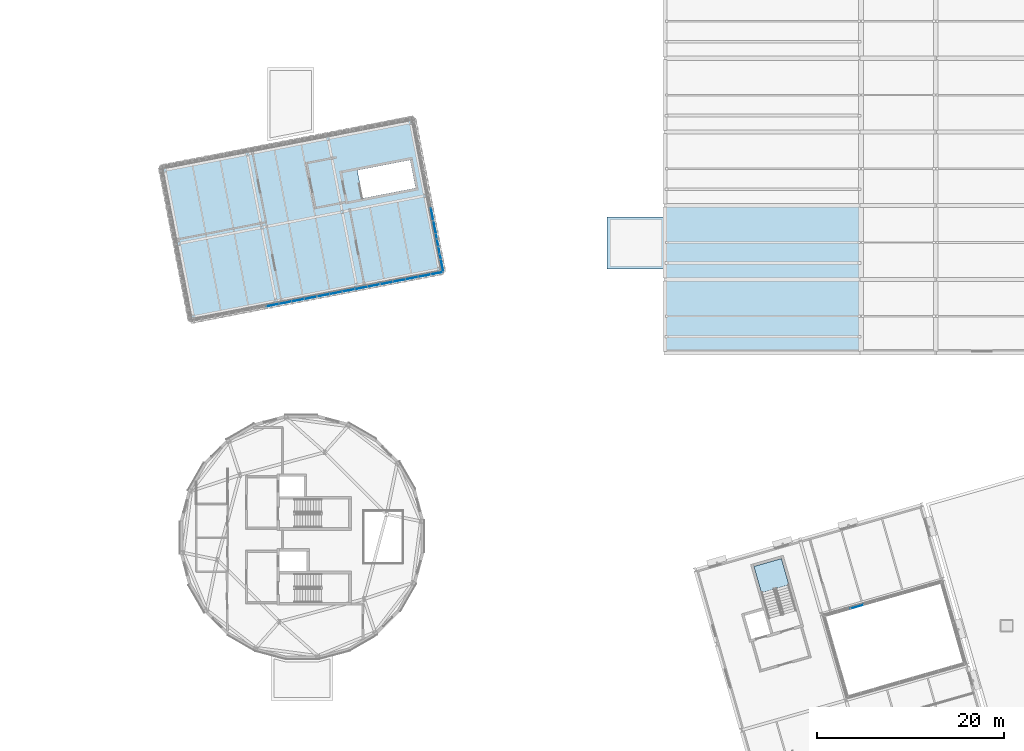
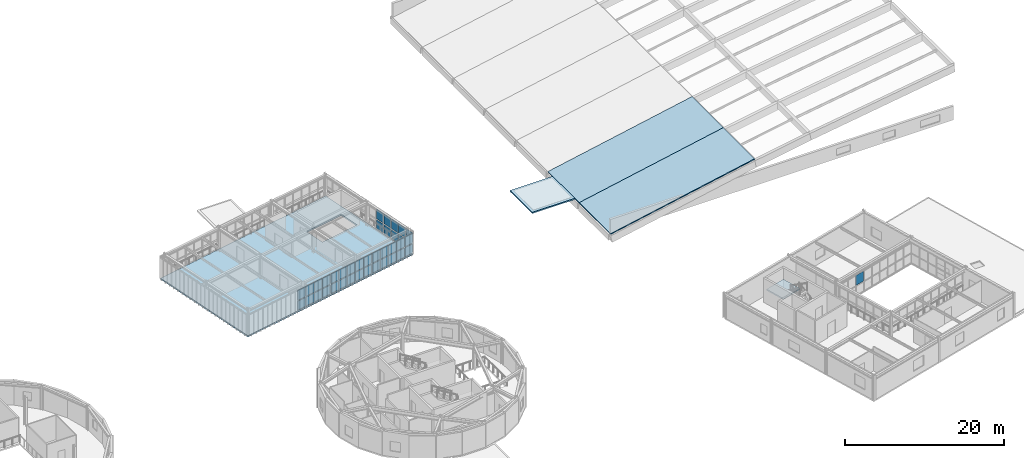
# One storey, part 22 of 44: 39 plates, 5 slabs, 7 elements without a shape of their own.
"""IFC4 building model written with IfcOpenShell, lengths in metres."""

from ifc_helpers import new_model, si_unit, direction, frame, origin, origin_2d, place, context, subcontext, project, spatial, polyline, rectangle, outline, extrude, material, layer, layer_set, type_object, element, aggregate, save


model = new_model("IFC4")

# Units and contexts
model_context = context("Model", 3, precision=1e-05, world=origin(), true_north=direction((0.0, 1.0)))
body_context = subcontext(model_context, "Body", "Model", "MODEL_VIEW")
ifc_project = project(units=[si_unit("LENGTHUNIT", "METRE"), si_unit("AREAUNIT", "SQUARE_METRE"), si_unit("VOLUMEUNIT", "CUBIC_METRE"), si_unit("PLANEANGLEUNIT", "RADIAN"), si_unit("MASSUNIT", "GRAM", prefix="KILO")], contexts=[model_context])

# Site, building, storey
site_placement = place(None, origin())
site = spatial("IfcSite", under=ifc_project, at=site_placement, CompositionType="ELEMENT")
building_placement = place(site_placement, origin())
building = spatial("IfcBuilding", under=site, at=building_placement, Name="Varnklinge Art Gallery", CompositionType="ELEMENT")
storey_placement = place(building_placement, frame((0.0, 0.0, 13.679931640625)))
storey = spatial("IfcBuildingStorey", under=building, at=storey_placement, Name="L03", CompositionType="ELEMENT", Elevation=13.679931640625)

# Curtain wall, plate
ifc_material_1 = material(Name="Anodised Aluminium", Category="aluminium")
curtain_wall_type_1 = type_object("IfcCurtainWallType", Name="CW-C03", PredefinedType="USERDEFINED", material=ifc_material_1)
curtain_wall_1_placement = place(storey_placement, origin())
curtain_wall_1 = element("IfcCurtainWall", 1, at=curtain_wall_1_placement, inside=storey, type_object=curtain_wall_type_1, Name="L03 Curtain Wall CW-V6C-L03-3", ObjectType="UNITISED CURTAIN WALL", PredefinedType="USERDEFINED")
ifc_material_2 = material(Name="Insulated Low-E Triple Glazing", Category="glass")
ifc_layer_1 = layer(ifc_material_2, 0.031982421875)
ifc_layer_set_1 = layer_set([ifc_layer_1], Name="Insulated Low-E Triple Glazing")
plate_type_1 = type_object("IfcPlateType", Name="GLZ-32", PredefinedType="CURTAIN_PANEL", material=ifc_layer_set_1)
plate_1_placement = place(storey_placement, frame((134.982666015625, 31.029296875, 1.627685546875), z_axis=(0.0, 0.0, 1.0), x_axis=(0.961261695938, 0.275637355817, 0.0)))
plate_1 = element("IfcPlate", 2, at=plate_1_placement, type_object=plate_type_1, Name="CW-V6C-L03-3 Glazing Panel 3.2", PredefinedType="CURTAIN_PANEL", context=body_context, shape_type="SweptSolid", body=[
    extrude(rectangle(XDim=1.388427734375, YDim=0.031982421875, at=origin_2d()), origin(), (0.0, 0.0, 1.0), 1.5244140625),
])
aggregate(curtain_wall_1, [plate_1])

# Curtain wall, plates
ifc_material_3 = material(Name="Anodised Aluminium", Category="aluminium")
curtain_wall_type_2 = type_object("IfcCurtainWallType", Name="CW-L04", PredefinedType="USERDEFINED", material=ifc_material_3)
curtain_wall_2_placement = place(storey_placement, origin())
curtain_wall_2 = element("IfcCurtainWall", 3, at=curtain_wall_2_placement, inside=storey, type_object=curtain_wall_type_2, Name="L03 Curtain Wall CW-V4B-L03-1-1-2", ObjectType="UNITISED CURTAIN WALL", PredefinedType="USERDEFINED")
ifc_material_4 = material(Name="Insulated Low-E Triple Glazing", Category="glass")
ifc_layer_2 = layer(ifc_material_4, 0.0439453125)
ifc_layer_set_2 = layer_set([ifc_layer_2], Name="Insulated Low-E Triple Glazing")
plate_type_2 = type_object("IfcPlateType", Name="GLZ-44", PredefinedType="CURTAIN_PANEL", material=ifc_layer_set_2)
plate_2_placement = place(storey_placement, frame((72.361572265625, 63.332763671875, 0.14794921875), z_axis=(0.0, 0.0, 1.0), x_axis=(0.981627183448, 0.190808995377, 0.0)))
plate_2 = element("IfcPlate", 4, at=plate_2_placement, type_object=plate_type_2, Name="CW-V4B-L03-1-1-2 Glazing Panel 2.1", PredefinedType="CURTAIN_PANEL", context=body_context, shape_type="SweptSolid", body=[
    extrude(rectangle(XDim=1.30908203125, YDim=0.0439453125, at=origin_2d()), origin(), (0.0, 0.0, 1.0), 1.367919921875),
])
plate_3_placement = place(storey_placement, frame((72.361572265625, 63.332763671875, 1.66162109375), z_axis=(0.0, 0.0, 1.0), x_axis=(0.981627183448, 0.190808995377, 0.0)))
plate_3 = element("IfcPlate", 5, at=plate_3_placement, type_object=plate_type_2, Name="CW-V4B-L03-1-1-2 Glazing Panel 2.2", PredefinedType="CURTAIN_PANEL", context=body_context, shape_type="SweptSolid", body=[
    extrude(rectangle(XDim=1.30908203125, YDim=0.0439453125, at=origin_2d()), origin(), (0.0, 0.0, 1.0), 1.500244140625),
])
plate_4_placement = place(storey_placement, frame((73.716064453125, 63.59619140625, 0.14794921875), z_axis=(0.0, 0.0, 1.0), x_axis=(0.981627183448, 0.190808995377, 0.0)))
plate_4 = element("IfcPlate", 6, at=plate_4_placement, type_object=plate_type_2, Name="CW-V4B-L03-1-1-2 Glazing Panel 3.1", PredefinedType="CURTAIN_PANEL", context=body_context, shape_type="SweptSolid", body=[
    extrude(rectangle(XDim=1.30908203125, YDim=0.0439453125, at=origin_2d()), origin(), (0.0, 0.0, 1.0), 1.367919921875),
])
plate_5_placement = place(storey_placement, frame((73.716064453125, 63.59619140625, 1.66162109375), z_axis=(0.0, 0.0, 1.0), x_axis=(0.981627183448, 0.190808995377, 0.0)))
plate_5 = element("IfcPlate", 7, at=plate_5_placement, type_object=plate_type_2, Name="CW-V4B-L03-1-1-2 Glazing Panel 3.2", PredefinedType="CURTAIN_PANEL", context=body_context, shape_type="SweptSolid", body=[
    extrude(rectangle(XDim=1.30908203125, YDim=0.0439453125, at=origin_2d()), origin(), (0.0, 0.0, 1.0), 1.500244140625),
])
plate_6_placement = place(storey_placement, frame((75.07080078125, 63.859375, 0.14794921875), z_axis=(0.0, 0.0, 1.0), x_axis=(0.981627183448, 0.190808995377, 0.0)))
plate_6 = element("IfcPlate", 8, at=plate_6_placement, type_object=plate_type_2, Name="CW-V4B-L03-1-1-2 Glazing Panel 4.1", PredefinedType="CURTAIN_PANEL", context=body_context, shape_type="SweptSolid", body=[
    extrude(rectangle(XDim=1.30908203125, YDim=0.0439453125, at=origin_2d()), origin(), (0.0, 0.0, 1.0), 1.367919921875),
])
plate_7_placement = place(storey_placement, frame((75.07080078125, 63.859375, 1.66162109375), z_axis=(0.0, 0.0, 1.0), x_axis=(0.981627183448, 0.190808995377, 0.0)))
plate_7 = element("IfcPlate", 9, at=plate_7_placement, type_object=plate_type_2, Name="CW-V4B-L03-1-1-2 Glazing Panel 4.2", PredefinedType="CURTAIN_PANEL", context=body_context, shape_type="SweptSolid", body=[
    extrude(rectangle(XDim=1.30908203125, YDim=0.0439453125, at=origin_2d()), origin(), (0.0, 0.0, 1.0), 1.500244140625),
])
plate_8_placement = place(storey_placement, frame((76.406982421875, 64.119140625, 0.14794921875), z_axis=(0.0, 0.0, 1.0), x_axis=(0.981627183448, 0.190808995377, 0.0)))
plate_8 = element("IfcPlate", 10, at=plate_8_placement, type_object=plate_type_2, Name="CW-V4B-L03-1-1-2 Glazing Panel 5.1", PredefinedType="CURTAIN_PANEL", context=body_context, shape_type="SweptSolid", body=[
    extrude(rectangle(XDim=1.271484375, YDim=0.0439453125, at=origin_2d()), origin(), (0.0, 0.0, 1.0), 1.367919921875),
])
plate_9_placement = place(storey_placement, frame((76.406982421875, 64.119140625, 1.66162109375), z_axis=(0.0, 0.0, 1.0), x_axis=(0.981627183448, 0.190808995377, 0.0)))
plate_9 = element("IfcPlate", 11, at=plate_9_placement, type_object=plate_type_2, Name="CW-V4B-L03-1-1-2 Glazing Panel 5.2", PredefinedType="CURTAIN_PANEL", context=body_context, shape_type="SweptSolid", body=[
    extrude(rectangle(XDim=1.271484375, YDim=0.0439453125, at=origin_2d()), origin(), (0.0, 0.0, 1.0), 1.500244140625),
])
aggregate(curtain_wall_2, [plate_2, plate_3, plate_4, plate_5, plate_6, plate_7, plate_8, plate_9])

curtain_wall_3_placement = place(storey_placement, origin())
curtain_wall_3 = element("IfcCurtainWall", 12, at=curtain_wall_3_placement, inside=storey, type_object=curtain_wall_type_2, Name="L03 Curtain Wall CW-V4B-L03-1-1-3", ObjectType="UNITISED CURTAIN WALL", PredefinedType="USERDEFINED")
plate_10_placement = place(storey_placement, frame((77.798583984375, 64.3896484375, 0.14794921875), z_axis=(0.0, 0.0, 1.0), x_axis=(0.981627183448, 0.190808995377, 0.0)))
plate_10 = element("IfcPlate", 13, at=plate_10_placement, type_object=plate_type_2, Name="CW-V4B-L03-1-1-3 Glazing Panel 1.1", PredefinedType="CURTAIN_PANEL", context=body_context, shape_type="SweptSolid", body=[
    extrude(rectangle(XDim=1.271484375, YDim=0.0439453125, at=origin_2d()), origin(), (0.0, 0.0, 1.0), 1.367919921875),
])
plate_11_placement = place(storey_placement, frame((77.798583984375, 64.3896484375, 1.66162109375), z_axis=(0.0, 0.0, 1.0), x_axis=(0.981627183448, 0.190808995377, 0.0)))
plate_11 = element("IfcPlate", 14, at=plate_11_placement, type_object=plate_type_2, Name="CW-V4B-L03-1-1-3 Glazing Panel 1.2", PredefinedType="CURTAIN_PANEL", context=body_context, shape_type="SweptSolid", body=[
    extrude(rectangle(XDim=1.271484375, YDim=0.0439453125, at=origin_2d()), origin(), (0.0, 0.0, 1.0), 1.500244140625),
])
plate_12_placement = place(storey_placement, frame((79.134765625, 64.6494140625, 0.14794921875), z_axis=(0.0, 0.0, 1.0), x_axis=(0.981627183448, 0.190808995377, 0.0)))
plate_12 = element("IfcPlate", 15, at=plate_12_placement, type_object=plate_type_2, Name="CW-V4B-L03-1-1-3 Glazing Panel 2.1", PredefinedType="CURTAIN_PANEL", context=body_context, shape_type="SweptSolid", body=[
    extrude(rectangle(XDim=1.30908203125, YDim=0.0439453125, at=origin_2d()), origin(), (0.0, 0.0, 1.0), 1.367919921875),
])
plate_13_placement = place(storey_placement, frame((79.134765625, 64.6494140625, 1.66162109375), z_axis=(0.0, 0.0, 1.0), x_axis=(0.981627183448, 0.190808995377, 0.0)))
plate_13 = element("IfcPlate", 16, at=plate_13_placement, type_object=plate_type_2, Name="CW-V4B-L03-1-1-3 Glazing Panel 2.2", PredefinedType="CURTAIN_PANEL", context=body_context, shape_type="SweptSolid", body=[
    extrude(rectangle(XDim=1.30908203125, YDim=0.0439453125, at=origin_2d()), origin(), (0.0, 0.0, 1.0), 1.500244140625),
])
plate_14_placement = place(storey_placement, frame((80.489501953125, 64.91259765625, 0.14794921875), z_axis=(0.0, 0.0, 1.0), x_axis=(0.981627183448, 0.190808995377, 0.0)))
plate_14 = element("IfcPlate", 17, at=plate_14_placement, type_object=plate_type_2, Name="CW-V4B-L03-1-1-3 Glazing Panel 3.1", PredefinedType="CURTAIN_PANEL", context=body_context, shape_type="SweptSolid", body=[
    extrude(rectangle(XDim=1.30908203125, YDim=0.0439453125, at=origin_2d()), origin(), (0.0, 0.0, 1.0), 1.367919921875),
])
plate_15_placement = place(storey_placement, frame((80.489501953125, 64.91259765625, 1.66162109375), z_axis=(0.0, 0.0, 1.0), x_axis=(0.981627183448, 0.190808995377, 0.0)))
plate_15 = element("IfcPlate", 18, at=plate_15_placement, type_object=plate_type_2, Name="CW-V4B-L03-1-1-3 Glazing Panel 3.2", PredefinedType="CURTAIN_PANEL", context=body_context, shape_type="SweptSolid", body=[
    extrude(rectangle(XDim=1.30908203125, YDim=0.0439453125, at=origin_2d()), origin(), (0.0, 0.0, 1.0), 1.500244140625),
])
plate_16_placement = place(storey_placement, frame((81.843994140625, 65.176025390625, 0.14794921875), z_axis=(0.0, 0.0, 1.0), x_axis=(0.981627183448, 0.190808995377, 0.0)))
plate_16 = element("IfcPlate", 19, at=plate_16_placement, type_object=plate_type_2, Name="CW-V4B-L03-1-1-3 Glazing Panel 4.1", PredefinedType="CURTAIN_PANEL", context=body_context, shape_type="SweptSolid", body=[
    extrude(rectangle(XDim=1.30908203125, YDim=0.0439453125, at=origin_2d()), origin(), (0.0, 0.0, 1.0), 1.367919921875),
])
plate_17_placement = place(storey_placement, frame((81.843994140625, 65.176025390625, 1.66162109375), z_axis=(0.0, 0.0, 1.0), x_axis=(0.981627183448, 0.190808995377, 0.0)))
plate_17 = element("IfcPlate", 20, at=plate_17_placement, type_object=plate_type_2, Name="CW-V4B-L03-1-1-3 Glazing Panel 4.2", PredefinedType="CURTAIN_PANEL", context=body_context, shape_type="SweptSolid", body=[
    extrude(rectangle(XDim=1.30908203125, YDim=0.0439453125, at=origin_2d()), origin(), (0.0, 0.0, 1.0), 1.500244140625),
])
plate_18_placement = place(storey_placement, frame((83.180419921875, 65.435791015625, 0.14794921875), z_axis=(0.0, 0.0, 1.0), x_axis=(0.981627183448, 0.190808995377, 0.0)))
plate_18 = element("IfcPlate", 21, at=plate_18_placement, type_object=plate_type_2, Name="CW-V4B-L03-1-1-3 Glazing Panel 5.1", PredefinedType="CURTAIN_PANEL", context=body_context, shape_type="SweptSolid", body=[
    extrude(rectangle(XDim=1.271484375, YDim=0.0439453125, at=origin_2d()), origin(), (0.0, 0.0, 1.0), 1.367919921875),
])
plate_19_placement = place(storey_placement, frame((83.180419921875, 65.435791015625, 1.66162109375), z_axis=(0.0, 0.0, 1.0), x_axis=(0.981627183448, 0.190808995377, 0.0)))
plate_19 = element("IfcPlate", 22, at=plate_19_placement, type_object=plate_type_2, Name="CW-V4B-L03-1-1-3 Glazing Panel 5.2", PredefinedType="CURTAIN_PANEL", context=body_context, shape_type="SweptSolid", body=[
    extrude(rectangle(XDim=1.271484375, YDim=0.0439453125, at=origin_2d()), origin(), (0.0, 0.0, 1.0), 1.500244140625),
])
aggregate(curtain_wall_3, [plate_10, plate_11, plate_12, plate_13, plate_14, plate_15, plate_16, plate_17, plate_18, plate_19])

curtain_wall_4_placement = place(storey_placement, origin())
curtain_wall_4 = element("IfcCurtainWall", 23, at=curtain_wall_4_placement, inside=storey, type_object=curtain_wall_type_2, Name="L03 Curtain Wall CW-V4B-L03-1-1-4", ObjectType="UNITISED CURTAIN WALL", PredefinedType="USERDEFINED")
plate_20_placement = place(storey_placement, frame((84.57177734375, 65.7060546875, 0.14794921875), z_axis=(0.0, 0.0, 1.0), x_axis=(0.981627183448, 0.190808995377, 0.0)))
plate_20 = element("IfcPlate", 24, at=plate_20_placement, type_object=plate_type_2, Name="CW-V4B-L03-1-1-4 Glazing Panel 1.1", PredefinedType="CURTAIN_PANEL", context=body_context, shape_type="SweptSolid", body=[
    extrude(rectangle(XDim=1.271484375, YDim=0.0439453125, at=origin_2d()), origin(), (0.0, 0.0, 1.0), 1.367919921875),
])
plate_21_placement = place(storey_placement, frame((84.57177734375, 65.7060546875, 1.66162109375), z_axis=(0.0, 0.0, 1.0), x_axis=(0.981627183448, 0.190808995377, 0.0)))
plate_21 = element("IfcPlate", 25, at=plate_21_placement, type_object=plate_type_2, Name="CW-V4B-L03-1-1-4 Glazing Panel 1.2", PredefinedType="CURTAIN_PANEL", context=body_context, shape_type="SweptSolid", body=[
    extrude(rectangle(XDim=1.271484375, YDim=0.0439453125, at=origin_2d()), origin(), (0.0, 0.0, 1.0), 1.500244140625),
])
plate_22_placement = place(storey_placement, frame((85.907958984375, 65.9658203125, 0.14794921875), z_axis=(0.0, 0.0, 1.0), x_axis=(0.981627183448, 0.190808995377, 0.0)))
plate_22 = element("IfcPlate", 26, at=plate_22_placement, type_object=plate_type_2, Name="CW-V4B-L03-1-1-4 Glazing Panel 2.1", PredefinedType="CURTAIN_PANEL", context=body_context, shape_type="SweptSolid", body=[
    extrude(rectangle(XDim=1.30908203125, YDim=0.0439453125, at=origin_2d()), origin(), (0.0, 0.0, 1.0), 1.367919921875),
])
plate_23_placement = place(storey_placement, frame((85.907958984375, 65.9658203125, 1.66162109375), z_axis=(0.0, 0.0, 1.0), x_axis=(0.981627183448, 0.190808995377, 0.0)))
plate_23 = element("IfcPlate", 27, at=plate_23_placement, type_object=plate_type_2, Name="CW-V4B-L03-1-1-4 Glazing Panel 2.2", PredefinedType="CURTAIN_PANEL", context=body_context, shape_type="SweptSolid", body=[
    extrude(rectangle(XDim=1.30908203125, YDim=0.0439453125, at=origin_2d()), origin(), (0.0, 0.0, 1.0), 1.500244140625),
])
plate_24_placement = place(storey_placement, frame((87.2626953125, 66.229248046875, 0.14794921875), z_axis=(0.0, 0.0, 1.0), x_axis=(0.981627183448, 0.190808995377, 0.0)))
plate_24 = element("IfcPlate", 28, at=plate_24_placement, type_object=plate_type_2, Name="CW-V4B-L03-1-1-4 Glazing Panel 3.1", PredefinedType="CURTAIN_PANEL", context=body_context, shape_type="SweptSolid", body=[
    extrude(rectangle(XDim=1.30908203125, YDim=0.0439453125, at=origin_2d()), origin(), (0.0, 0.0, 1.0), 1.367919921875),
])
plate_25_placement = place(storey_placement, frame((87.2626953125, 66.229248046875, 1.66162109375), z_axis=(0.0, 0.0, 1.0), x_axis=(0.981627183448, 0.190808995377, 0.0)))
plate_25 = element("IfcPlate", 29, at=plate_25_placement, type_object=plate_type_2, Name="CW-V4B-L03-1-1-4 Glazing Panel 3.2", PredefinedType="CURTAIN_PANEL", context=body_context, shape_type="SweptSolid", body=[
    extrude(rectangle(XDim=1.30908203125, YDim=0.0439453125, at=origin_2d()), origin(), (0.0, 0.0, 1.0), 1.500244140625),
])
plate_26_placement = place(storey_placement, frame((88.6171875, 66.492431640625, 0.14794921875), z_axis=(0.0, 0.0, 1.0), x_axis=(0.981627183448, 0.190808995377, 0.0)))
plate_26 = element("IfcPlate", 30, at=plate_26_placement, type_object=plate_type_2, Name="CW-V4B-L03-1-1-4 Glazing Panel 4.1", PredefinedType="CURTAIN_PANEL", context=body_context, shape_type="SweptSolid", body=[
    extrude(rectangle(XDim=1.30908203125, YDim=0.0439453125, at=origin_2d()), origin(), (0.0, 0.0, 1.0), 1.367919921875),
])
plate_27_placement = place(storey_placement, frame((88.6171875, 66.492431640625, 1.66162109375), z_axis=(0.0, 0.0, 1.0), x_axis=(0.981627183448, 0.190808995377, 0.0)))
plate_27 = element("IfcPlate", 31, at=plate_27_placement, type_object=plate_type_2, Name="CW-V4B-L03-1-1-4 Glazing Panel 4.2", PredefinedType="CURTAIN_PANEL", context=body_context, shape_type="SweptSolid", body=[
    extrude(rectangle(XDim=1.30908203125, YDim=0.0439453125, at=origin_2d()), origin(), (0.0, 0.0, 1.0), 1.500244140625),
])
plate_28_placement = place(storey_placement, frame((89.95361328125, 66.752197265625, 0.14794921875), z_axis=(0.0, 0.0, 1.0), x_axis=(0.981627183448, 0.190808995377, 0.0)))
plate_28 = element("IfcPlate", 32, at=plate_28_placement, type_object=plate_type_2, Name="CW-V4B-L03-1-1-4 Glazing Panel 5.1", PredefinedType="CURTAIN_PANEL", context=body_context, shape_type="SweptSolid", body=[
    extrude(rectangle(XDim=1.271484375, YDim=0.0439453125, at=origin_2d()), origin(), (0.0, 0.0, 1.0), 1.367919921875),
])
plate_29_placement = place(storey_placement, frame((89.95361328125, 66.752197265625, 1.66162109375), z_axis=(0.0, 0.0, 1.0), x_axis=(0.981627183448, 0.190808995377, 0.0)))
plate_29 = element("IfcPlate", 33, at=plate_29_placement, type_object=plate_type_2, Name="CW-V4B-L03-1-1-4 Glazing Panel 5.2", PredefinedType="CURTAIN_PANEL", context=body_context, shape_type="SweptSolid", body=[
    extrude(rectangle(XDim=1.271484375, YDim=0.0439453125, at=origin_2d()), origin(), (0.0, 0.0, 1.0), 1.500244140625),
])
aggregate(curtain_wall_4, [plate_20, plate_21, plate_22, plate_23, plate_24, plate_25, plate_26, plate_27, plate_28, plate_29])

ifc_material_5 = material(Name="Anodised Aluminium", Category="aluminium")
curtain_wall_type_3 = type_object("IfcCurtainWallType", Name="CW-L08", PredefinedType="USERDEFINED", material=ifc_material_5)
curtain_wall_5_placement = place(storey_placement, origin())
curtain_wall_5 = element("IfcCurtainWall", 34, at=curtain_wall_5_placement, inside=storey, type_object=curtain_wall_type_3, Name="L03 Curtain Wall CW-V4B-L03-2-1-1", ObjectType="UNITISED CURTAIN WALL", PredefinedType="USERDEFINED")
plate_30_placement = place(storey_placement, frame((90.51220703125, 67.593017578125, 0.14794921875), z_axis=(0.0, 0.0, 1.0), x_axis=(-0.190808995377, 0.981627183448, 0.0)))
plate_30 = element("IfcPlate", 35, at=plate_30_placement, type_object=plate_type_2, Name="CW-V4B-L03-2-1-1 Glazing Panel 1.1", PredefinedType="CURTAIN_PANEL", context=body_context, shape_type="SweptSolid", body=[
    extrude(rectangle(XDim=1.29150390625, YDim=0.0439453125, at=origin_2d()), origin(), (0.0, 0.0, 1.0), 1.367919921875),
])
plate_31_placement = place(storey_placement, frame((90.51220703125, 67.593017578125, 1.66162109375), z_axis=(0.0, 0.0, 1.0), x_axis=(-0.190808995377, 0.981627183448, 0.0)))
plate_31 = element("IfcPlate", 36, at=plate_31_placement, type_object=plate_type_2, Name="CW-V4B-L03-2-1-1 Glazing Panel 1.2", PredefinedType="CURTAIN_PANEL", context=body_context, shape_type="SweptSolid", body=[
    extrude(rectangle(XDim=1.29150390625, YDim=0.0439453125, at=origin_2d()), origin(), (0.0, 0.0, 1.0), 1.500244140625),
])
plate_32_placement = place(storey_placement, frame((90.24853515625, 68.948974609375, 0.14794921875), z_axis=(0.0, 0.0, 1.0), x_axis=(-0.190808995377, 0.981627183448, 0.0)))
plate_32 = element("IfcPlate", 37, at=plate_32_placement, type_object=plate_type_2, Name="CW-V4B-L03-2-1-1 Glazing Panel 2.1", PredefinedType="CURTAIN_PANEL", context=body_context, shape_type="SweptSolid", body=[
    extrude(rectangle(XDim=1.3291015625, YDim=0.0439453125, at=origin_2d()), origin(), (0.0, 0.0, 1.0), 1.367919921875),
])
plate_33_placement = place(storey_placement, frame((90.24853515625, 68.948974609375, 1.66162109375), z_axis=(0.0, 0.0, 1.0), x_axis=(-0.190808995377, 0.981627183448, 0.0)))
plate_33 = element("IfcPlate", 38, at=plate_33_placement, type_object=plate_type_2, Name="CW-V4B-L03-2-1-1 Glazing Panel 2.2", PredefinedType="CURTAIN_PANEL", context=body_context, shape_type="SweptSolid", body=[
    extrude(rectangle(XDim=1.3291015625, YDim=0.0439453125, at=origin_2d()), origin(), (0.0, 0.0, 1.0), 1.500244140625),
])
plate_34_placement = place(storey_placement, frame((89.9814453125, 70.3232421875, 0.14794921875), z_axis=(0.0, 0.0, 1.0), x_axis=(-0.190808995377, 0.981627183448, 0.0)))
plate_34 = element("IfcPlate", 39, at=plate_34_placement, type_object=plate_type_2, Name="CW-V4B-L03-2-1-1 Glazing Panel 3.1", PredefinedType="CURTAIN_PANEL", context=body_context, shape_type="SweptSolid", body=[
    extrude(rectangle(XDim=1.3291015625, YDim=0.0439453125, at=origin_2d()), origin(), (0.0, 0.0, 1.0), 1.367919921875),
])
plate_35_placement = place(storey_placement, frame((89.9814453125, 70.3232421875, 1.66162109375), z_axis=(0.0, 0.0, 1.0), x_axis=(-0.190808995377, 0.981627183448, 0.0)))
plate_35 = element("IfcPlate", 40, at=plate_35_placement, type_object=plate_type_2, Name="CW-V4B-L03-2-1-1 Glazing Panel 3.2", PredefinedType="CURTAIN_PANEL", context=body_context, shape_type="SweptSolid", body=[
    extrude(rectangle(XDim=1.3291015625, YDim=0.0439453125, at=origin_2d()), origin(), (0.0, 0.0, 1.0), 1.500244140625),
])
plate_36_placement = place(storey_placement, frame((89.718017578125, 71.67919921875, 0.14794921875), z_axis=(0.0, 0.0, 1.0), x_axis=(-0.190808995377, 0.981627183448, 0.0)))
plate_36 = element("IfcPlate", 41, at=plate_36_placement, type_object=plate_type_2, Name="CW-V4B-L03-2-1-1 Glazing Panel 4.1", PredefinedType="CURTAIN_PANEL", context=body_context, shape_type="SweptSolid", body=[
    extrude(rectangle(XDim=1.29150390625, YDim=0.0439453125, at=origin_2d()), origin(), (0.0, 0.0, 1.0), 1.367919921875),
])
plate_37_placement = place(storey_placement, frame((89.718017578125, 71.67919921875, 1.66162109375), z_axis=(0.0, 0.0, 1.0), x_axis=(-0.190808995377, 0.981627183448, 0.0)))
plate_37 = element("IfcPlate", 42, at=plate_37_placement, type_object=plate_type_2, Name="CW-V4B-L03-2-1-1 Glazing Panel 4.2", PredefinedType="CURTAIN_PANEL", context=body_context, shape_type="SweptSolid", body=[
    extrude(rectangle(XDim=1.29150390625, YDim=0.0439453125, at=origin_2d()), origin(), (0.0, 0.0, 1.0), 1.500244140625),
])
aggregate(curtain_wall_5, [plate_30, plate_31, plate_32, plate_33, plate_34, plate_35, plate_36, plate_37])

curtain_wall_6_placement = place(storey_placement, origin())
curtain_wall_6 = element("IfcCurtainWall", 43, at=curtain_wall_6_placement, inside=storey, type_object=curtain_wall_type_3, Name="L03 Curtain Wall CW-V4B-L03-2-1-2", ObjectType="UNITISED CURTAIN WALL", PredefinedType="USERDEFINED")
plate_38_placement = place(storey_placement, frame((89.443603515625, 73.090087890625, 0.14794921875), z_axis=(0.0, 0.0, 1.0), x_axis=(-0.190808995377, 0.981627183448, 0.0)))
plate_38 = element("IfcPlate", 44, at=plate_38_placement, type_object=plate_type_2, Name="CW-V4B-L03-2-1-2 Glazing Panel 1.1", PredefinedType="CURTAIN_PANEL", context=body_context, shape_type="SweptSolid", body=[
    extrude(rectangle(XDim=1.29150390625, YDim=0.0439453125, at=origin_2d()), origin(), (0.0, 0.0, 1.0), 1.367919921875),
])
plate_39_placement = place(storey_placement, frame((89.443603515625, 73.090087890625, 1.66162109375), z_axis=(0.0, 0.0, 1.0), x_axis=(-0.190808995377, 0.981627183448, 0.0)))
plate_39 = element("IfcPlate", 45, at=plate_39_placement, type_object=plate_type_2, Name="CW-V4B-L03-2-1-2 Glazing Panel 1.2", PredefinedType="CURTAIN_PANEL", context=body_context, shape_type="SweptSolid", body=[
    extrude(rectangle(XDim=1.29150390625, YDim=0.0439453125, at=origin_2d()), origin(), (0.0, 0.0, 1.0), 1.500244140625),
])
aggregate(curtain_wall_6, [plate_38, plate_39])

# Slab
ifc_material_6 = material(Name="Concrete C35/45", Category="concrete")
ifc_layer_3 = layer(ifc_material_6, 0.199951171875)
ifc_layer_set_3 = layer_set([ifc_layer_3], Name="Concrete C35/45")
slab_type_1 = type_object("IfcSlabType", Name="SLB-F20", PredefinedType="FLOOR", material=ifc_layer_set_3)
slab_1_placement = place(storey_placement, frame((0.0, 0.0, -0.199951171875)))
element("IfcSlab", 46, at=slab_1_placement, inside=storey, type_object=slab_type_1, Name="L03 Lattice Exhibition Box Floor Slab", PredefinedType="FLOOR", context=body_context, shape_type="SweptSolid", body=[
    extrude(outline(polyline([(63.556396484375, 61.62109375), (90.6494140625, 66.887451171875), (87.443603515625, 83.37890625), (60.3505859375, 78.112548828125), (63.556396484375, 61.62109375)]), holes=[polyline([(81.4248046875, 77.78759765625), (87.09375, 78.8896484375), (87.677490234375, 75.8857421875), (82.0087890625, 74.783935546875), (81.4248046875, 77.78759765625)])]), origin(), (0.0, 0.0, 1.0), 0.199951171875),
])

# Stair, slab
ifc_material_7 = material(Name="Concrete C40/50", Category="concrete")
stair_type = type_object("IfcStairType", Name="STR-C3960", PredefinedType="HALF_TURN_STAIR", material=ifc_material_7)
stair_placement = place(storey_placement, origin())
stair = element("IfcStair", 47, at=stair_placement, inside=storey, type_object=stair_type, Name="L03 Core C5 Stair ST-05", PredefinedType="HALF_TURN_STAIR")
ifc_material_8 = material(Name="Concrete C40/50", Category="concrete")
ifc_layer_4 = layer(ifc_material_8, 0.199951171875)
ifc_layer_set_4 = layer_set([ifc_layer_4], Name="Concrete C40/50")
slab_type_2 = type_object("IfcSlabType", Name="SLB-LND20", PredefinedType="LANDING", material=ifc_layer_set_4)
slab_2_placement = place(storey_placement, frame((0.0, 0.0, 1.780029296875)))
slab_2 = element("IfcSlab", 48, at=slab_2_placement, type_object=slab_type_2, Name="ST-05 landing 1", PredefinedType="LANDING", context=body_context, shape_type="SweptSolid", body=[
    extrude(outline(polyline([(127.67138671875, 33.366943359375), (126.86376953125, 36.18359375), (123.92236328125, 35.340087890625), (124.72998046875, 32.523681640625), (127.67138671875, 33.366943359375)])), origin(), (0.0, 0.0, 1.0), 0.199951171875),
])
aggregate(stair, [slab_2])

# Slabs
ifc_material_9 = material(Name="Concrete C35/45", Category="concrete")
ifc_layer_5 = layer(ifc_material_9, 0.199951171875)
ifc_layer_set_5 = layer_set([ifc_layer_5], Name="Concrete C35/45")
slab_type_3 = type_object("IfcSlabType", Name="SLB-ROOF20", PredefinedType="ROOF", material=ifc_layer_set_5)
slab_3_placement = place(storey_placement, frame((0.0, 0.0, -0.199951171875)))
element("IfcSlab", 49, at=slab_3_placement, inside=storey, type_object=slab_type_3, Name="L03 LNK-V1 Link Roof Slab", PredefinedType="ROOF", context=body_context, shape_type="SweptSolid", body=[
    extrude(outline(polyline([(114.39990234375, 72.800048828125), (108.199951171875, 72.800048828125), (108.199951171875, 67.199951171875), (114.39990234375, 67.199951171875), (114.39990234375, 72.800048828125)])), origin(), (0.0, 0.0, 1.0), 0.199951171875),
])
ifc_material_10 = material(Name="Concrete C45/55", Category="concrete")
ifc_layer_6 = layer(ifc_material_10, 0.159912109375)
ifc_layer_set_6 = layer_set([ifc_layer_6], Name="Concrete C45/55")
slab_type_4 = type_object("IfcSlabType", Name="SLB-SHELL16", PredefinedType="ROOF", material=ifc_layer_set_6)
slab_4_placement = place(storey_placement, frame((114.39990234375, 58.199951171875, 0.0), z_axis=(-0.196113942833, 0.0, 0.980581114149), x_axis=(0.980581114149, 0.0, 0.196113942833)))
element("IfcSlab", 50, at=slab_4_placement, inside=storey, type_object=slab_type_4, Name="Shell Gallery Vault Bay 1 Facet 1", PredefinedType="ROOF", context=body_context, shape_type="SweptSolid", body=[
    extrude(outline(polyline([(0.0, 0.0), (21.41587238116006, 0.0), (21.41587238116006, 7.900146484375), (0.0, 7.900146484375), (0.0, 0.0)])), origin(), (0.0, 0.0, -1.0), 0.159912109375),
])
slab_5_placement = place(storey_placement, frame((114.39990234375, 66.10009765625, 0.0), z_axis=(-0.196113942833, 0.0, 0.980581114149), x_axis=(0.980581114149, 0.0, 0.196113942833)))
element("IfcSlab", 51, at=slab_5_placement, inside=storey, type_object=slab_type_4, Name="Shell Gallery Vault Bay 2 Facet 1", PredefinedType="ROOF", context=body_context, shape_type="SweptSolid", body=[
    extrude(outline(polyline([(0.0, 0.0), (21.41587238116006, 0.0), (21.41587238116006, 7.89990234375), (0.0, 7.89990234375), (0.0, 0.0)])), origin(), (0.0, 0.0, -1.0), 0.159912109375),
])

save(model, "model.ifc")
